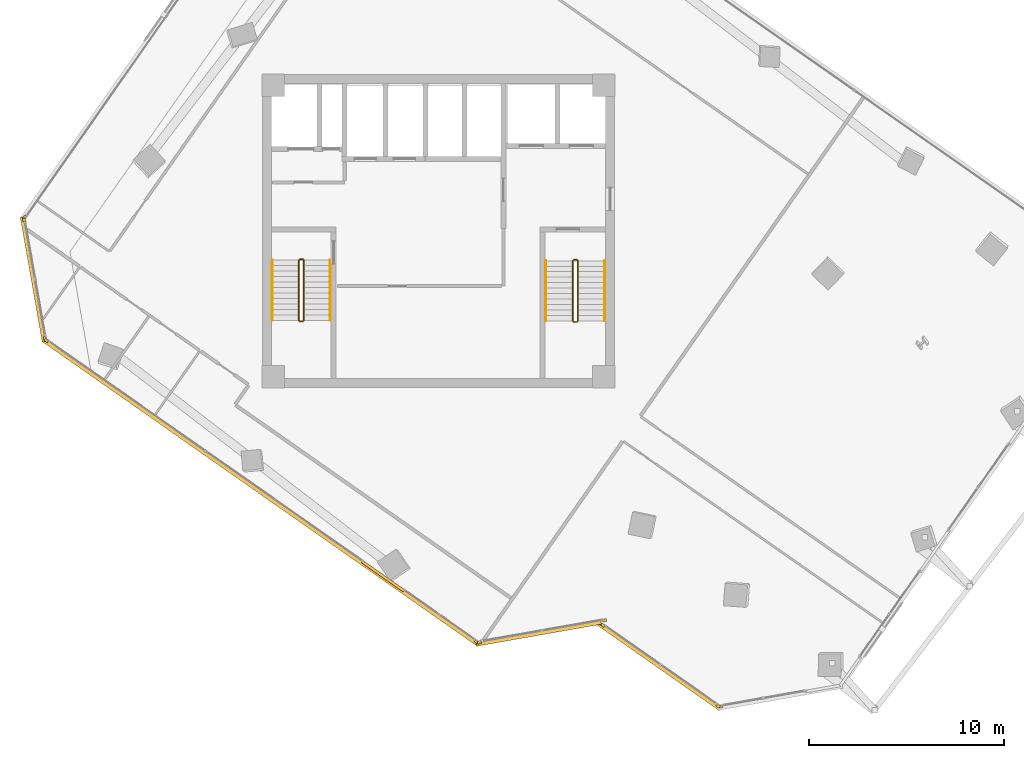
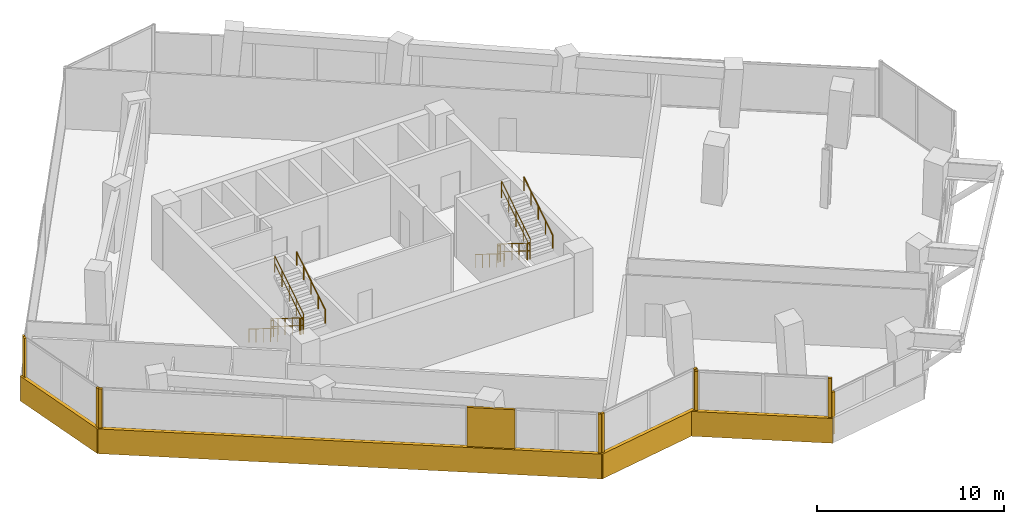
# One storey, part 19 of 21: 15 coverings, 12 railings.
"""IFC4 building model written with IfcOpenShell, lengths in metres."""

from ifc_helpers import new_model, si_unit, direction, frame, origin, origin_2d, place, context, subcontext, project, spatial, rectangle, circle, extrude, source, transform, mapped, material, layer, layer_set, type_object, element, save


model = new_model("IFC4")

# Units and contexts
model_context = context("Model", 3, precision=1e-05, world=origin(), true_north=direction((0.0, 1.0)))
body_context = subcontext(model_context, "Body", "Model", "MODEL_VIEW")
ifc_project = project(units=[si_unit("LENGTHUNIT", "METRE"), si_unit("AREAUNIT", "SQUARE_METRE"), si_unit("VOLUMEUNIT", "CUBIC_METRE"), si_unit("PLANEANGLEUNIT", "RADIAN"), si_unit("MASSUNIT", "GRAM", prefix="KILO")], contexts=[model_context])

# Site, building, storey
site_placement = place(None, origin())
site = spatial("IfcSite", under=ifc_project, at=site_placement, CompositionType="ELEMENT")
building_placement = place(site_placement, origin())
building = spatial("IfcBuilding", under=site, at=building_placement, Name="Torre Montelarca", CompositionType="ELEMENT")
storey_placement = place(building_placement, frame((0.0, 0.0, 200.199951171875)))
storey = spatial("IfcBuildingStorey", under=building, at=storey_placement, Name="L45", CompositionType="ELEMENT", Elevation=200.199951171875)

# Railings
ifc_material_1 = material(Name="Powder-coated steel ASTM A500 Grade C", Category="steel")
railing_type_1 = type_object("IfcRailingType", Name="RL-GUARD-1100", PredefinedType="BALUSTRADE", material=ifc_material_1)
railing_1_placement = place(storey_placement, frame((10.85009765625, 30.5, 0.175048828125)))
element("IfcRailing", 1, at=railing_1_placement, inside=storey, type_object=railing_type_1, Name="L45 ST1 stair guard 1", PredefinedType="BALUSTRADE", context=body_context, shape_type="SweptSolid", body=[
    extrude(circle(Radius=0.02392578125, at=origin_2d()), frame((0.0, 0.0, 1.076171875), z_axis=(0.0, -0.847998304005, 0.529998940003), x_axis=(1.0, 0.0, 0.0)), (0.0, 0.0, 1.0), 3.632080078125),
    extrude(circle(Radius=0.02099609375, at=origin_2d()), frame((0.0, 0.0, 0.572021484375), z_axis=(0.0, -0.847998304005, 0.529998940003), x_axis=(1.0, 0.0, 0.0)), (0.0, 0.0, 1.0), 3.632080078125),
    extrude(circle(Radius=0.02099609375, at=origin_2d()), origin(), (0.0, 0.0, 1.0), 1.052001953125),
    extrude(circle(Radius=0.02099609375, at=origin_2d()), frame((0.0, -0.77001953125, 0.481201171875)), (0.0, 0.0, 1.0), 1.052001953125),
    extrude(circle(Radius=0.02099609375, at=origin_2d()), frame((0.0, -1.5400390625, 0.96240234375)), (0.0, 0.0, 1.0), 1.052001953125),
    extrude(circle(Radius=0.02099609375, at=origin_2d()), frame((0.0, -2.31005859375, 1.44384765625)), (0.0, 0.0, 1.0), 1.052001953125),
    extrude(circle(Radius=0.02099609375, at=origin_2d()), frame((0.0, -3.080078125, 1.925048828125)), (0.0, 0.0, 1.0), 1.052001953125),
])
railing_2_placement = place(storey_placement, frame((10.89990234375, 27.3701171875, 2.10009765625)))
element("IfcRailing", 2, at=railing_2_placement, inside=storey, type_object=railing_type_1, Name="L45 ST1 stair guard 2", PredefinedType="BALUSTRADE", context=body_context, shape_type="SweptSolid", body=[
    extrude(circle(Radius=0.02392578125, at=origin_2d()), frame((0.0, 0.0, 1.076171875), z_axis=(1.0, 0.0, 0.0), x_axis=(0.0, 1.0, 0.0)), (0.0, 0.0, 1.0), 0.150146484375),
    extrude(circle(Radius=0.02099609375, at=origin_2d()), frame((0.0, 0.0, 0.572021484375), z_axis=(1.0, 0.0, 0.0), x_axis=(0.0, 1.0, 0.0)), (0.0, 0.0, 1.0), 0.150146484375),
    extrude(circle(Radius=0.02099609375, at=origin_2d()), origin(), (0.0, 0.0, 1.0), 1.052001953125),
    extrude(circle(Radius=0.02099609375, at=origin_2d()), frame((0.150146484375, 0.0, 0.0)), (0.0, 0.0, 1.0), 1.052001953125),
])
railing_3_placement = place(storey_placement, frame((11.10009765625, 27.419921875, 2.275146484375)))
element("IfcRailing", 3, at=railing_3_placement, inside=storey, type_object=railing_type_1, Name="L45 ST1 stair guard 3", PredefinedType="BALUSTRADE", context=body_context, shape_type="SweptSolid", body=[
    extrude(circle(Radius=0.02392578125, at=origin_2d()), frame((0.0, 0.0, 1.076171875), z_axis=(0.0, 0.848028513186, 0.529950602248), x_axis=(-1.0, 0.0, 0.0)), (0.0, 0.0, 1.0), 3.632080078125),
    extrude(circle(Radius=0.02099609375, at=origin_2d()), frame((0.0, 0.0, 0.572021484375), z_axis=(0.0, 0.848028513186, 0.529950602248), x_axis=(-1.0, 0.0, 0.0)), (0.0, 0.0, 1.0), 3.632080078125),
    extrude(circle(Radius=0.02099609375, at=origin_2d()), origin(), (0.0, 0.0, 1.0), 1.052001953125),
    extrude(circle(Radius=0.02099609375, at=origin_2d()), frame((0.0, 0.77001953125, 0.481201171875)), (0.0, 0.0, 1.0), 1.052001953125),
    extrude(circle(Radius=0.02099609375, at=origin_2d()), frame((0.0, 1.5400390625, 0.96240234375)), (0.0, 0.0, 1.0), 1.052001953125),
    extrude(circle(Radius=0.02099609375, at=origin_2d()), frame((0.0, 2.31005859375, 1.443603515625)), (0.0, 0.0, 1.0), 1.052001953125),
    extrude(circle(Radius=0.02099609375, at=origin_2d()), frame((0.0, 3.080078125, 1.9248046875)), (0.0, 0.0, 1.0), 1.052001953125),
])
railing_4_placement = place(storey_placement, frame((10.89990234375, 30.550048828125, 0.0)))
element("IfcRailing", 4, at=railing_4_placement, inside=storey, type_object=railing_type_1, Name="L45 ST1 stair guard 4", PredefinedType="BALUSTRADE", context=body_context, shape_type="SweptSolid", body=[
    extrude(circle(Radius=0.02392578125, at=origin_2d()), frame((0.0, 0.0, 1.076171875), z_axis=(1.0, 0.0, 0.0), x_axis=(0.0, 1.0, 0.0)), (0.0, 0.0, 1.0), 0.150146484375),
    extrude(circle(Radius=0.02099609375, at=origin_2d()), frame((0.0, 0.0, 0.572021484375), z_axis=(1.0, 0.0, 0.0), x_axis=(0.0, 1.0, 0.0)), (0.0, 0.0, 1.0), 0.150146484375),
    extrude(circle(Radius=0.02099609375, at=origin_2d()), origin(), (0.0, 0.0, 1.0), 1.052001953125),
    extrude(circle(Radius=0.02099609375, at=origin_2d()), frame((0.150146484375, 0.0, 0.0)), (0.0, 0.0, 1.0), 1.052001953125),
])
railing_5_placement = place(storey_placement, frame((24.8701171875, 30.469970703125, 0.175048828125)))
element("IfcRailing", 5, at=railing_5_placement, inside=storey, type_object=railing_type_1, Name="L45 ST2 stair guard 1", PredefinedType="BALUSTRADE", context=body_context, shape_type="SweptSolid", body=[
    extrude(circle(Radius=0.02392578125, at=origin_2d()), frame((0.0, 0.0, 1.076171875), z_axis=(0.0, -0.847998304005, 0.529998940003), x_axis=(1.0, 0.0, 0.0)), (0.0, 0.0, 1.0), 3.632080078125),
    extrude(circle(Radius=0.02099609375, at=origin_2d()), frame((0.0, 0.0, 0.572021484375), z_axis=(0.0, -0.847998304005, 0.529998940003), x_axis=(1.0, 0.0, 0.0)), (0.0, 0.0, 1.0), 3.632080078125),
    extrude(circle(Radius=0.02099609375, at=origin_2d()), origin(), (0.0, 0.0, 1.0), 1.052001953125),
    extrude(circle(Radius=0.02099609375, at=origin_2d()), frame((0.0, -0.77001953125, 0.481201171875)), (0.0, 0.0, 1.0), 1.052001953125),
    extrude(circle(Radius=0.02099609375, at=origin_2d()), frame((0.0, -1.5400390625, 0.96240234375)), (0.0, 0.0, 1.0), 1.052001953125),
    extrude(circle(Radius=0.02099609375, at=origin_2d()), frame((0.0, -2.31005859375, 1.44384765625)), (0.0, 0.0, 1.0), 1.052001953125),
    extrude(circle(Radius=0.02099609375, at=origin_2d()), frame((0.0, -3.080078125, 1.925048828125)), (0.0, 0.0, 1.0), 1.052001953125),
])
railing_6_placement = place(storey_placement, frame((24.919921875, 27.340087890625, 2.10009765625)))
element("IfcRailing", 6, at=railing_6_placement, inside=storey, type_object=railing_type_1, Name="L45 ST2 stair guard 2", PredefinedType="BALUSTRADE", context=body_context, shape_type="SweptSolid", body=[
    extrude(circle(Radius=0.02392578125, at=origin_2d()), frame((0.0, 0.0, 1.076171875), z_axis=(1.0, 0.0, 0.0), x_axis=(0.0, 1.0, 0.0)), (0.0, 0.0, 1.0), 0.150146484375),
    extrude(circle(Radius=0.02099609375, at=origin_2d()), frame((0.0, 0.0, 0.572021484375), z_axis=(1.0, 0.0, 0.0), x_axis=(0.0, 1.0, 0.0)), (0.0, 0.0, 1.0), 0.150146484375),
    extrude(circle(Radius=0.02099609375, at=origin_2d()), origin(), (0.0, 0.0, 1.0), 1.052001953125),
    extrude(circle(Radius=0.02099609375, at=origin_2d()), frame((0.150146484375, 0.0, 0.0)), (0.0, 0.0, 1.0), 1.052001953125),
])
railing_7_placement = place(storey_placement, frame((25.1201171875, 27.389892578125, 2.275146484375)))
element("IfcRailing", 7, at=railing_7_placement, inside=storey, type_object=railing_type_1, Name="L45 ST2 stair guard 3", PredefinedType="BALUSTRADE", context=body_context, shape_type="SweptSolid", body=[
    extrude(circle(Radius=0.02392578125, at=origin_2d()), frame((0.0, 0.0, 1.076171875), z_axis=(0.0, 0.848028513186, 0.529950602248), x_axis=(-1.0, 0.0, 0.0)), (0.0, 0.0, 1.0), 3.632080078125),
    extrude(circle(Radius=0.02099609375, at=origin_2d()), frame((0.0, 0.0, 0.572021484375), z_axis=(0.0, 0.848028513186, 0.529950602248), x_axis=(-1.0, 0.0, 0.0)), (0.0, 0.0, 1.0), 3.632080078125),
    extrude(circle(Radius=0.02099609375, at=origin_2d()), origin(), (0.0, 0.0, 1.0), 1.052001953125),
    extrude(circle(Radius=0.02099609375, at=origin_2d()), frame((0.0, 0.77001953125, 0.481201171875)), (0.0, 0.0, 1.0), 1.052001953125),
    extrude(circle(Radius=0.02099609375, at=origin_2d()), frame((0.0, 1.5400390625, 0.96240234375)), (0.0, 0.0, 1.0), 1.052001953125),
    extrude(circle(Radius=0.02099609375, at=origin_2d()), frame((0.0, 2.31005859375, 1.443603515625)), (0.0, 0.0, 1.0), 1.052001953125),
    extrude(circle(Radius=0.02099609375, at=origin_2d()), frame((0.0, 3.080078125, 1.9248046875)), (0.0, 0.0, 1.0), 1.052001953125),
])
railing_8_placement = place(storey_placement, frame((24.919921875, 30.52001953125, 0.0)))
element("IfcRailing", 8, at=railing_8_placement, inside=storey, type_object=railing_type_1, Name="L45 ST2 stair guard 4", PredefinedType="BALUSTRADE", context=body_context, shape_type="SweptSolid", body=[
    extrude(circle(Radius=0.02392578125, at=origin_2d()), frame((0.0, 0.0, 1.076171875), z_axis=(1.0, 0.0, 0.0), x_axis=(0.0, 1.0, 0.0)), (0.0, 0.0, 1.0), 0.150146484375),
    extrude(circle(Radius=0.02099609375, at=origin_2d()), frame((0.0, 0.0, 0.572021484375), z_axis=(1.0, 0.0, 0.0), x_axis=(0.0, 1.0, 0.0)), (0.0, 0.0, 1.0), 0.150146484375),
    extrude(circle(Radius=0.02099609375, at=origin_2d()), origin(), (0.0, 0.0, 1.0), 1.052001953125),
    extrude(circle(Radius=0.02099609375, at=origin_2d()), frame((0.150146484375, 0.0, 0.0)), (0.0, 0.0, 1.0), 1.052001953125),
])
ifc_material_2 = material(Name="Brushed stainless steel AISI 316", Category="steel")
railing_type_2 = type_object("IfcRailingType", Name="RL-HANDRAIL-900", PredefinedType="HANDRAIL", material=ifc_material_2)
railing_9_placement = place(storey_placement, frame((9.5, 30.5, 0.175048828125)))
element("IfcRailing", 9, at=railing_9_placement, inside=storey, type_object=railing_type_2, Name="L45 ST1 stair handrail 1", PredefinedType="HANDRAIL", context=body_context, shape_type="SweptSolid", body=[
    extrude(circle(Radius=0.02392578125, at=origin_2d()), frame((0.0, 0.0, 0.8759765625), z_axis=(0.0, -0.847998304005, 0.529998940003), x_axis=(1.0, 0.0, 0.0)), (0.0, 0.0, 1.0), 3.632080078125),
    extrude(circle(Radius=0.02099609375, at=origin_2d()), origin(), (0.0, 0.0, 1.0), 0.851806640625),
    extrude(circle(Radius=0.02099609375, at=origin_2d()), frame((0.0, -0.77001953125, 0.481201171875)), (0.0, 0.0, 1.0), 0.851806640625),
    extrude(circle(Radius=0.02099609375, at=origin_2d()), frame((0.0, -1.5400390625, 0.96240234375)), (0.0, 0.0, 1.0), 0.851806640625),
    extrude(circle(Radius=0.02099609375, at=origin_2d()), frame((0.0, -2.31005859375, 1.44384765625)), (0.0, 0.0, 1.0), 0.851806640625),
    extrude(circle(Radius=0.02099609375, at=origin_2d()), frame((0.0, -3.080078125, 1.925048828125)), (0.0, 0.0, 1.0), 0.851806640625),
])
railing_10_placement = place(storey_placement, frame((12.449951171875, 27.419921875, 2.275146484375)))
element("IfcRailing", 10, at=railing_10_placement, inside=storey, type_object=railing_type_2, Name="L45 ST1 stair handrail 2", PredefinedType="HANDRAIL", context=body_context, shape_type="SweptSolid", body=[
    extrude(circle(Radius=0.02392578125, at=origin_2d()), frame((0.0, 0.0, 0.8759765625), z_axis=(0.0, 0.848028513186, 0.529950602248), x_axis=(-1.0, 0.0, 0.0)), (0.0, 0.0, 1.0), 3.632080078125),
    extrude(circle(Radius=0.02099609375, at=origin_2d()), origin(), (0.0, 0.0, 1.0), 0.851806640625),
    extrude(circle(Radius=0.02099609375, at=origin_2d()), frame((0.0, 0.77001953125, 0.481201171875)), (0.0, 0.0, 1.0), 0.851806640625),
    extrude(circle(Radius=0.02099609375, at=origin_2d()), frame((0.0, 1.5400390625, 0.96240234375)), (0.0, 0.0, 1.0), 0.851806640625),
    extrude(circle(Radius=0.02099609375, at=origin_2d()), frame((0.0, 2.31005859375, 1.443603515625)), (0.0, 0.0, 1.0), 0.851806640625),
    extrude(circle(Radius=0.02099609375, at=origin_2d()), frame((0.0, 3.080078125, 1.9248046875)), (0.0, 0.0, 1.0), 0.851806640625),
])
railing_11_placement = place(storey_placement, frame((23.489990234375, 30.469970703125, 0.175048828125)))
element("IfcRailing", 11, at=railing_11_placement, inside=storey, type_object=railing_type_2, Name="L45 ST2 stair handrail 1", PredefinedType="HANDRAIL", context=body_context, shape_type="SweptSolid", body=[
    extrude(circle(Radius=0.02392578125, at=origin_2d()), frame((0.0, 0.0, 0.8759765625), z_axis=(0.0, -0.847998304005, 0.529998940003), x_axis=(1.0, 0.0, 0.0)), (0.0, 0.0, 1.0), 3.632080078125),
    extrude(circle(Radius=0.02099609375, at=origin_2d()), origin(), (0.0, 0.0, 1.0), 0.851806640625),
    extrude(circle(Radius=0.02099609375, at=origin_2d()), frame((0.0, -0.77001953125, 0.481201171875)), (0.0, 0.0, 1.0), 0.851806640625),
    extrude(circle(Radius=0.02099609375, at=origin_2d()), frame((0.0, -1.5400390625, 0.96240234375)), (0.0, 0.0, 1.0), 0.851806640625),
    extrude(circle(Radius=0.02099609375, at=origin_2d()), frame((0.0, -2.31005859375, 1.44384765625)), (0.0, 0.0, 1.0), 0.851806640625),
    extrude(circle(Radius=0.02099609375, at=origin_2d()), frame((0.0, -3.080078125, 1.925048828125)), (0.0, 0.0, 1.0), 0.851806640625),
])
railing_12_placement = place(storey_placement, frame((26.5, 27.389892578125, 2.275146484375)))
element("IfcRailing", 12, at=railing_12_placement, inside=storey, type_object=railing_type_2, Name="L45 ST2 stair handrail 2", PredefinedType="HANDRAIL", context=body_context, shape_type="SweptSolid", body=[
    extrude(circle(Radius=0.02392578125, at=origin_2d()), frame((0.0, 0.0, 0.8759765625), z_axis=(0.0, 0.848028513186, 0.529950602248), x_axis=(-1.0, 0.0, 0.0)), (0.0, 0.0, 1.0), 3.632080078125),
    extrude(circle(Radius=0.02099609375, at=origin_2d()), origin(), (0.0, 0.0, 1.0), 0.851806640625),
    extrude(circle(Radius=0.02099609375, at=origin_2d()), frame((0.0, 0.77001953125, 0.481201171875)), (0.0, 0.0, 1.0), 0.851806640625),
    extrude(circle(Radius=0.02099609375, at=origin_2d()), frame((0.0, 1.5400390625, 0.96240234375)), (0.0, 0.0, 1.0), 0.851806640625),
    extrude(circle(Radius=0.02099609375, at=origin_2d()), frame((0.0, 2.31005859375, 1.443603515625)), (0.0, 0.0, 1.0), 0.851806640625),
    extrude(circle(Radius=0.02099609375, at=origin_2d()), frame((0.0, 3.080078125, 1.9248046875)), (0.0, 0.0, 1.0), 0.851806640625),
])

# Coverings
ifc_material_3 = material(Name="Bush-hammered warm white precast concrete C45/55", Category="concrete")
ifc_layer = layer(ifc_material_3, 0.139892578125, Name="Bush-hammered warm white precast concrete C45/55", Category="concrete")
ifc_layer_set = layer_set([ifc_layer], Name="Bush-hammered warm white precast concrete C45/55")
covering_type = type_object("IfcCoveringType", Name="COV-TRAY-CLAD", PredefinedType="CLADDING", material=ifc_layer_set)
shared_shape_1 = source(origin(), body_context, "Body", "SweptSolid", [
    extrude(rectangle(XDim=6.48388671875, YDim=0.219970703125, at=origin_2d()), origin(), (0.0, 0.0, 1.0), 1.6201171875),
])
for number, where, z_axis, x_axis, name in (
    (13, (23.1181640625, 11.42138671875, -0.449951171875), (0.0, 0.0, 1.0), (0.98480714686, 0.173651615293, 0.0), "L45 Architectural White Spandrel Tray Band TRYBOT-02"),
    (14, (-2.732421875, 29.522216796875, -0.449951171875), (0.0, 0.0, 1.0), (0.173636145958, -0.984809874451, 0.0), "L45 Architectural White Spandrel Tray Band TRYBOT-11"),
):
    element("IfcCovering", number, at=place(storey_placement, frame(where, z_axis=z_axis, x_axis=x_axis)), inside=storey, type_object=covering_type, Name=name, PredefinedType="CLADDING", context=body_context, shape_type="MappedRepresentation", body=[
        mapped(shared_shape_1, transform((0.0, 0.0, 0.0), scale=1.0)),
    ])
shared_shape_2 = source(origin(), body_context, "Body", "SweptSolid", [
    extrude(rectangle(XDim=0.199951171875, YDim=0.139892578125, at=origin_2d()), origin(), (0.0, 0.0, 1.0), 3.719970703125),
])
for number, where, z_axis, x_axis, name in (
    (15, (-2.06298828125, 26.390625, 0.0), (0.0, 0.0, 1.0), (0.819154046443, -0.573573576968, 0.0), "L45 Architectural Column Pier Cladding E01-1"),
    (16, (19.946533203125, 10.9794921875, 0.0), (0.0, 0.0, 1.0), (0.819154046443, -0.573573576968, 0.0), "L45 Architectural Column Pier Cladding E01-3"),
    (17, (20.088134765625, 10.9482421875, 0.0), (0.0, 0.0, 1.0), (0.984808359153, 0.173644740038, 0.0), "L45 Architectural Column Pier Cladding E02-1"),
    (18, (26.489013671875, 12.076904296875, 0.0), (0.0, 0.0, 1.0), (0.984808359153, 0.173644740038, 0.0), "L45 Architectural Column Pier Cladding E02-2"),
    (19, (26.408447265625, 11.826416015625, 0.0), (0.0, 0.0, 1.0), (0.819158050722, -0.573567858179, 0.0), "L45 Architectural Column Pier Cladding E04-1"),
    (20, (32.300048828125, 7.700927734375, 0.0), (0.0, 0.0, 1.0), (0.819158050722, -0.573567858179, 0.0), "L45 Architectural Column Pier Cladding E04-2"),
    (21, (-3.17431640625, 32.69384765625, 0.0), (0.0, 0.0, 1.0), (-0.573572147273, -0.819155047517, 0.0), "L45 Architectural Column Pier Cladding E10-2"),
    (22, (-3.20556640625, 32.552001953125, 0.0), (0.0, 0.0, 1.0), (0.173630989503, -0.984810783595, 0.0), "L45 Architectural Column Pier Cladding E11-1"),
    (23, (-2.140869140625, 26.51318359375, 0.0), (0.0, 0.0, 1.0), (0.173630989503, -0.984810783595, 0.0), "L45 Architectural Column Pier Cladding E11-2"),
):
    element("IfcCovering", number, at=place(storey_placement, frame(where, z_axis=z_axis, x_axis=x_axis)), inside=storey, type_object=covering_type, Name=name, PredefinedType="CLADDING", context=body_context, shape_type="MappedRepresentation", body=[
        mapped(shared_shape_2, transform((0.0, 0.0, 0.0), scale=1.0)),
    ])
shared_shape_3 = source(origin(), body_context, "Body", "SweptSolid", [
    extrude(rectangle(XDim=0.199951171875, YDim=0.139892578125, at=origin_2d()), origin(), (0.0, 0.0, 1.0), 2.77490234375),
])
covering_1_placement = place(storey_placement, frame((32.441650390625, 7.669677734375, 0.0), z_axis=(0.0, 0.0, 1.0), x_axis=(0.984808359153, 0.173644740038, 0.0)))
element("IfcCovering", 24, at=covering_1_placement, inside=storey, type_object=covering_type, Name="L45 Architectural Column Pier Cladding E05-1", PredefinedType="CLADDING", context=body_context, shape_type="MappedRepresentation", body=[
    mapped(shared_shape_3, transform((0.0, 0.0, 0.0), scale=1.0)),
])
shared_shape_4 = source(origin(), body_context, "Body", "SweptSolid", [
    extrude(rectangle(XDim=7.6201171875, YDim=0.219970703125, at=origin_2d()), origin(), (0.0, 0.0, 1.0), 1.6201171875),
])
covering_2_placement = place(storey_placement, frame((29.28857421875, 9.736328125, -0.449951171875), z_axis=(0.0, 0.0, 1.0), x_axis=(0.819152044289, -0.573576436351, 0.0)))
element("IfcCovering", 25, at=covering_2_placement, inside=storey, type_object=covering_type, Name="L45 Architectural White Spandrel Tray Band TRYBOT-04", PredefinedType="CLADDING", context=body_context, shape_type="MappedRepresentation", body=[
    mapped(shared_shape_4, transform((0.0, 0.0, 0.0), scale=1.0)),
])
shared_shape_5 = source(origin(), body_context, "Body", "SweptSolid", [
    extrude(rectangle(XDim=2.589111328125, YDim=0.139892578125, at=origin_2d()), origin(), (0.0, 0.0, 1.0), 3.719970703125),
])
covering_3_placement = place(storey_placement, frame((15.154296875, 14.335205078125, 0.0), z_axis=(0.0, 0.0, 1.0), x_axis=(0.819154046443, -0.573573576968, 0.0)))
element("IfcCovering", 26, at=covering_3_placement, inside=storey, type_object=covering_type, Name="L45 Architectural Column Pier Cladding E01-2", PredefinedType="CLADDING", context=body_context, shape_type="MappedRepresentation", body=[
    mapped(shared_shape_5, transform((0.0, 0.0, 0.0), scale=1.0)),
])
shared_shape_6 = source(origin(), body_context, "Body", "SweptSolid", [
    extrude(rectangle(XDim=27.22021484375, YDim=0.219970703125, at=origin_2d()), origin(), (0.0, 0.0, 1.0), 1.6201171875),
])
covering_4_placement = place(storey_placement, frame((8.907470703125, 18.635986328125, -0.449951171875), z_axis=(0.0, 0.0, 1.0), x_axis=(0.819152044289, -0.573576436351, 0.0)))
element("IfcCovering", 27, at=covering_4_placement, inside=storey, type_object=covering_type, Name="L45 Architectural White Spandrel Tray Band TRYBOT-01", PredefinedType="CLADDING", context=body_context, shape_type="MappedRepresentation", body=[
    mapped(shared_shape_6, transform((0.0, 0.0, 0.0), scale=1.0)),
])

save(model, "model.ifc")
